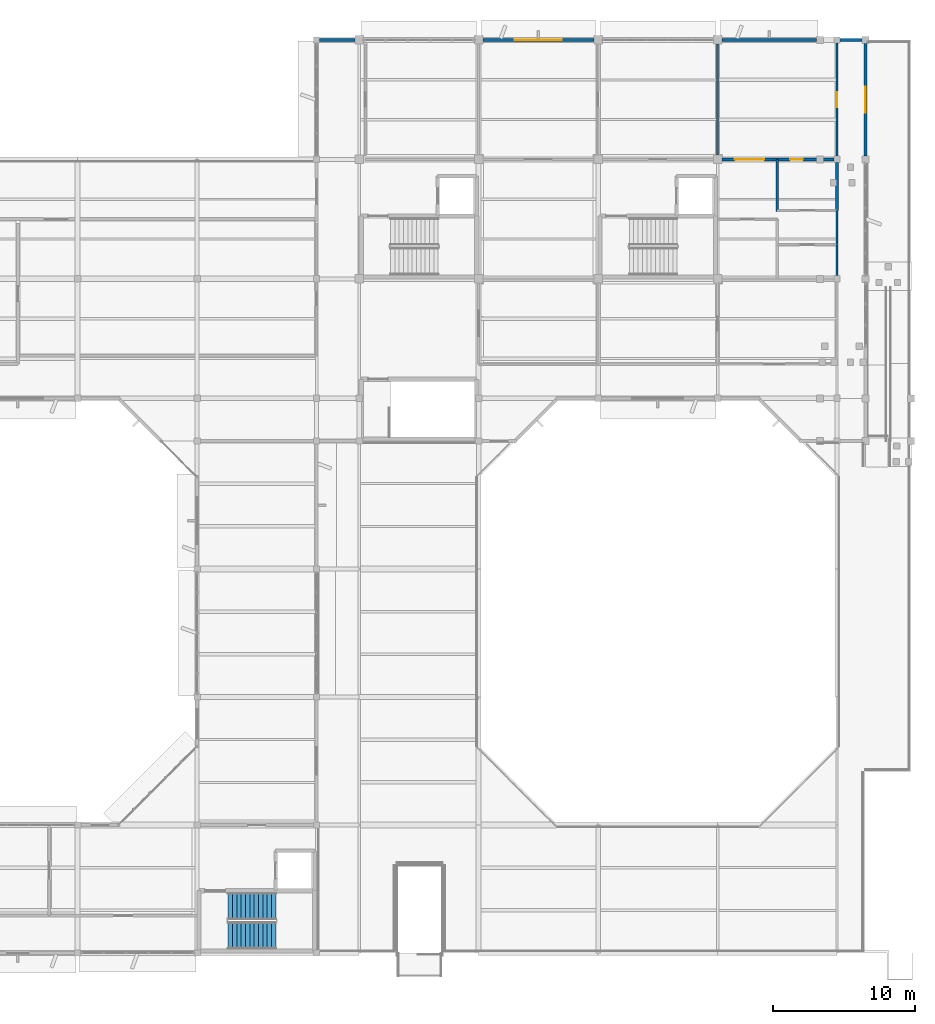
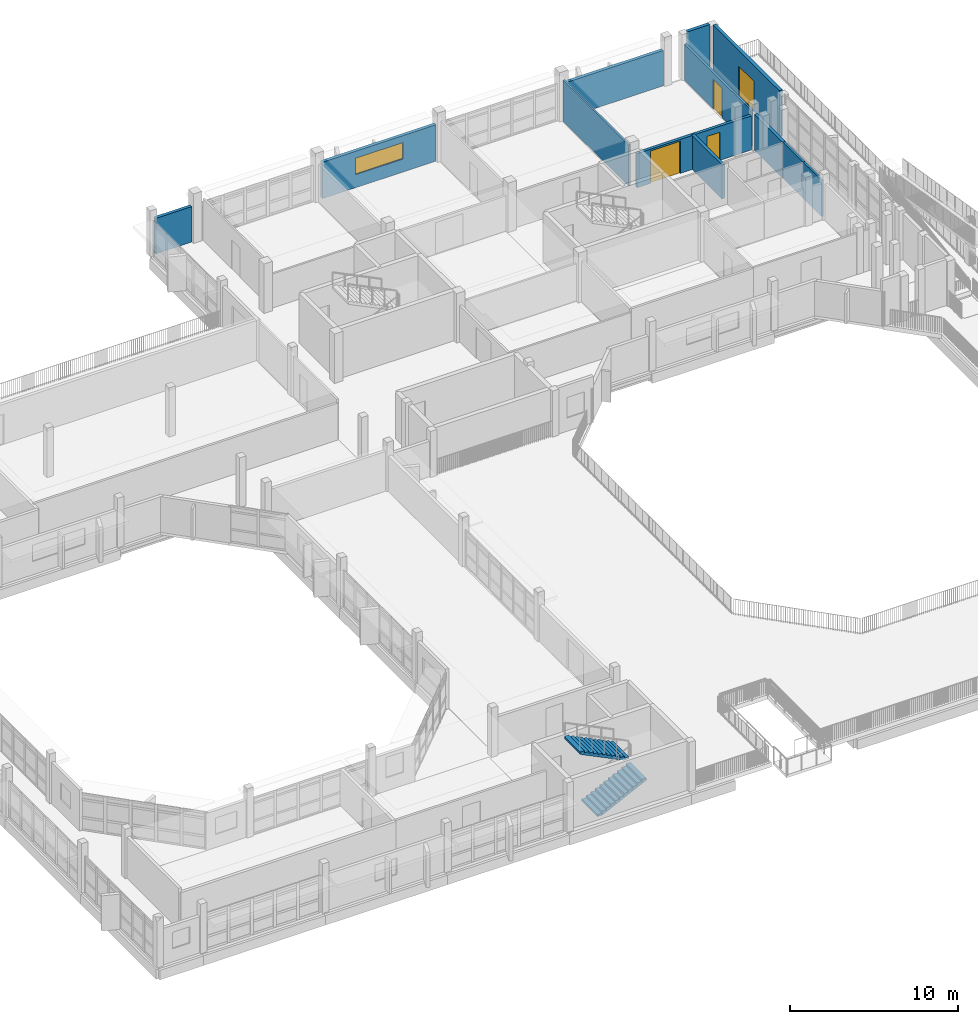
# One storey, part 24 of 42: 13 walls, 4 doors, 2 stair flights, 1 window, 5 openings, 1 element without a shape of its own.
"""IFC4 building model written with IfcOpenShell, lengths in metres."""

from ifc_helpers import new_model, si_unit, direction, frame, frame_2d, origin, place, context, subcontext, project, spatial, polyline, rectangle, outline, extrude, material, layer, layer_set, type_object, element, fill, aggregate, save


model = new_model("IFC4")

# Units and contexts
model_context = context("Model", 3, precision=1e-05, world=origin(), true_north=direction((0.0, 1.0)))
body_context = subcontext(model_context, "Body", "Model", "MODEL_VIEW")
ifc_project = project(units=[si_unit("LENGTHUNIT", "METRE"), si_unit("AREAUNIT", "SQUARE_METRE"), si_unit("VOLUMEUNIT", "CUBIC_METRE"), si_unit("PLANEANGLEUNIT", "RADIAN"), si_unit("MASSUNIT", "GRAM", prefix="KILO")], contexts=[model_context])

# Site, building, storey
site_placement = place(None, origin())
site = spatial("IfcSite", under=ifc_project, at=site_placement, CompositionType="ELEMENT")
building_placement = place(site_placement, origin())
building = spatial("IfcBuilding", under=site, at=building_placement, Name="Vanh Quang Courtyard School", CompositionType="ELEMENT")
storey_placement = place(building_placement, frame((0.0, 0.0, 15.0)))
storey = spatial("IfcBuildingStorey", under=building, at=storey_placement, Name="L04", CompositionType="ELEMENT", Elevation=15.0)

# Wall, opening, door
ifc_material_1 = material(Name="Concrete C30/37", Category="concrete")
ifc_layer_1 = layer(ifc_material_1, 0.199951171875)
ifc_layer_set_1 = layer_set([ifc_layer_1], Name="Concrete C30/37")
wall_type_1 = type_object("IfcWallType", Name="W-COMP-200", PredefinedType="PARTITIONING", material=ifc_layer_set_1)
wall_1_placement = place(storey_placement, frame((102.89794921875, 88.199951171875, 0.0), z_axis=(0.0, 0.0, 1.0), x_axis=(1.0, 0.0, 0.0)))
wall_1 = element("IfcWall", 1, at=wall_1_placement, inside=storey, type_object=wall_type_1, Name="Wall W-COMP1 (L04)", PredefinedType="PARTITIONING", context=body_context, shape_type="SweptSolid", body=[
    extrude(rectangle(XDim=3.902099609375, YDim=0.199951171875, at=frame_2d((1.951171875, 0.0))), origin(), (0.0, 0.0, 1.0), 2.47998046875),
])
opening_1_placement = place(wall_1_placement, frame((0.926025390625, 0.0, 0.0)))
opening_1 = element("IfcOpeningElement", 2, at=opening_1_placement, cuts=wall_1, Name="Opening L04-D159", PredefinedType="OPENING", context=body_context, shape_type="SweptSolid", body=[
    extrude(rectangle(XDim=2.050048828125, YDim=2.35009765625, at=frame_2d((1.02490234375, 1.175048828125))), frame((0.0, 0.10986328125, 0.0), z_axis=(0.0, -1.0, 0.0), x_axis=(1.0, 0.0, 0.0)), (0.0, 0.0, 1.0), 0.219970703125),
])
ifc_material_2 = material(Name="Painted galvanised steel fire door", Category="steel")
door_type_1 = type_object("IfcDoorType", Name="IDR-HAL-2050x2350", OperationType="NOTDEFINED", PredefinedType="DOOR", material=ifc_material_2)
door_1_placement = place(opening_1_placement, origin())
door_1 = element("IfcDoor", 3, at=door_1_placement, inside=storey, type_object=door_type_1, Name="Door L04-D159 (L04)", OperationType="DOUBLE_DOOR_SINGLE_SWING", OverallHeight=2.35009765625, OverallWidth=2.050048828125, PredefinedType="DOOR", context=body_context, shape_type="SweptSolid", body=[
    extrude(rectangle(XDim=2.050048828125, YDim=2.35009765625, at=frame_2d((1.02490234375, 1.175048828125))), frame((0.0, 0.02490234375, 0.0), z_axis=(0.0, -1.0, 0.0), x_axis=(1.0, 0.0, 0.0)), (0.0, 0.0, 1.0), 0.050048828125),
])
fill(opening_1, door_1)

# Wall
wall_2_placement = place(storey_placement, frame((106.800048828125, 88.199951171875, 0.0), z_axis=(0.0, 0.0, 1.0), x_axis=(0.0, -1.0, 0.0)))
element("IfcWall", 4, at=wall_2_placement, inside=storey, type_object=wall_type_1, Name="Wall W-COMP1 (L04)", PredefinedType="PARTITIONING", context=body_context, shape_type="SweptSolid", body=[
    extrude(rectangle(XDim=3.646240234375, YDim=0.199951171875, at=frame_2d((1.8232421875, 0.0))), origin(), (0.0, 0.0, 1.0), 2.47998046875),
])

# Wall, opening, door
wall_3_placement = place(storey_placement, frame((106.820068359375, 88.199951171875, 0.0), z_axis=(0.0, 0.0, 1.0), x_axis=(1.0, 0.0, 0.0)))
wall_3 = element("IfcWall", 5, at=wall_3_placement, inside=storey, type_object=wall_type_1, Name="Wall W-COMP1 (L04)", PredefinedType="PARTITIONING", context=body_context, shape_type="SweptSolid", body=[
    extrude(rectangle(XDim=3.95703125, YDim=0.199951171875, at=frame_2d((1.978515625, 0.0))), origin(), (0.0, 0.0, 1.0), 2.47998046875),
])
opening_2_placement = place(wall_3_placement, frame((0.87841796875, 0.0, 0.0)))
opening_2 = element("IfcOpeningElement", 6, at=opening_2_placement, cuts=wall_3, Name="Opening L04-D160", PredefinedType="OPENING", context=body_context, shape_type="SweptSolid", body=[
    extrude(rectangle(XDim=0.89990234375, YDim=2.050048828125, at=frame_2d((0.449951171875, 1.02490234375))), frame((0.0, 0.10986328125, 0.0), z_axis=(0.0, -1.0, 0.0), x_axis=(1.0, 0.0, 0.0)), (0.0, 0.0, 1.0), 0.219970703125),
])
door_type_2 = type_object("IfcDoorType", Name="IDR-RS-0900x2050", OperationType="NOTDEFINED", PredefinedType="DOOR", material=ifc_material_2)
door_2_placement = place(opening_2_placement, origin())
door_2 = element("IfcDoor", 7, at=door_2_placement, inside=storey, type_object=door_type_2, Name="Door L04-D160 (L04)", OperationType="SINGLE_SWING_LEFT", OverallHeight=2.050048828125, OverallWidth=0.89990234375, PredefinedType="DOOR", context=body_context, shape_type="SweptSolid", body=[
    extrude(rectangle(XDim=0.89990234375, YDim=2.050048828125, at=frame_2d((0.449951171875, 1.02490234375))), frame((0.0, 0.02490234375, 0.0), z_axis=(0.0, -1.0, 0.0), x_axis=(1.0, 0.0, 0.0)), (0.0, 0.0, 1.0), 0.050048828125),
])
fill(opening_2, door_2)

# Walls
wall_4_placement = place(storey_placement, frame((111.0, 87.97705078125, 0.0), z_axis=(0.0, 0.0, 1.0), x_axis=(0.0, -1.0, 0.0)))
element("IfcWall", 8, at=wall_4_placement, inside=storey, type_object=wall_type_1, Name="Wall W-COMP1 (L04)", PredefinedType="PARTITIONING", context=body_context, shape_type="SweptSolid", body=[
    extrude(rectangle(XDim=3.35693359375, YDim=0.199951171875, at=frame_2d((1.678466796875, 0.0))), origin(), (0.0, 0.0, 1.0), 2.6298828125),
])
ifc_layer_2 = layer(ifc_material_1, 0.219970703125)
ifc_layer_set_2 = layer_set([ifc_layer_2], Name="Concrete C30/37")
wall_type_2 = type_object("IfcWallType", Name="W-EXT-220", PredefinedType="SOLIDWALL", material=ifc_layer_set_2)
wall_5_placement = place(storey_placement, frame((74.623046875, 96.60009765625, 0.0), z_axis=(0.0, 0.0, 1.0), x_axis=(1.0, 0.0, 0.0)))
element("IfcWall", 9, at=wall_5_placement, inside=storey, type_object=wall_type_2, Name="Wall WE-04 (L04)", PredefinedType="SOLIDWALL", context=body_context, shape_type="SweptSolid", body=[
    extrude(rectangle(XDim=2.47900390625, YDim=0.219970703125, at=frame_2d((1.239501953125, 0.0))), origin(), (0.0, 0.0, 1.0), 2.580078125),
])

# Wall, opening, window
wall_6_placement = place(storey_placement, frame((86.097900390625, 96.60009765625, 0.0), z_axis=(0.0, 0.0, 1.0), x_axis=(1.0, 0.0, 0.0)))
wall_6 = element("IfcWall", 10, at=wall_6_placement, inside=storey, type_object=wall_type_2, Name="Wall WE-04 (L04)", PredefinedType="SOLIDWALL", context=body_context, shape_type="SweptSolid", body=[
    extrude(rectangle(XDim=7.80419921875, YDim=0.219970703125, at=frame_2d((3.902099609375, 0.0))), origin(), (0.0, 0.0, 1.0), 2.64990234375),
])
opening_3_placement = place(wall_6_placement, frame((2.251953125, 0.0, 0.949951171875)))
opening_3 = element("IfcOpeningElement", 11, at=opening_3_placement, cuts=wall_6, Name="Opening WN-08", PredefinedType="OPENING", context=body_context, shape_type="SweptSolid", body=[
    extrude(rectangle(XDim=3.300048828125, YDim=1.199951171875, at=frame_2d((1.64990234375, 0.60009765625))), frame((0.0, 0.1201171875, 0.0), z_axis=(0.0, -1.0, 0.0), x_axis=(1.0, 0.0, 0.0)), (0.0, 0.0, 1.0), 0.239990234375),
])
ifc_material_3 = material(Name="Anodised aluminium and low-E double glazing", Category="aluminium")
window_type = type_object("IfcWindowType", Name="WIN-TYP-08", PartitioningType="SINGLE_PANEL", PredefinedType="WINDOW", material=ifc_material_3)
window_placement = place(opening_3_placement, origin())
window = element("IfcWindow", 12, at=window_placement, inside=storey, type_object=window_type, Name="Window WN-08 (L04)", OverallHeight=1.199951171875, OverallWidth=3.300048828125, PartitioningType="SINGLE_PANEL", PredefinedType="WINDOW", context=body_context, shape_type="SweptSolid", body=[
    extrude(rectangle(XDim=3.300048828125, YDim=1.199951171875, at=frame_2d((1.64990234375, 0.60009765625))), frame((0.0, 0.030029296875, 0.0), z_axis=(0.0, -1.0, 0.0), x_axis=(1.0, 0.0, 0.0)), (0.0, 0.0, 1.0), 0.06005859375),
])
fill(opening_3, window)

# Walls
wall_7_placement = place(storey_placement, frame((102.89794921875, 96.60009765625, 0.0), z_axis=(0.0, 0.0, 1.0), x_axis=(1.0, 0.0, 0.0)))
element("IfcWall", 13, at=wall_7_placement, inside=storey, type_object=wall_type_2, Name="Wall WE-04 (L04)", PredefinedType="SOLIDWALL", context=body_context, shape_type="SweptSolid", body=[
    extrude(rectangle(XDim=6.654052734375, YDim=0.219970703125, at=frame_2d((3.3271484375, 0.0))), origin(), (0.0, 0.0, 1.0), 2.580078125),
])
wall_8_placement = place(storey_placement, frame((111.222900390625, 96.60009765625, 0.0), z_axis=(0.0, 0.0, 1.0), x_axis=(1.0, 0.0, 0.0)))
element("IfcWall", 14, at=wall_8_placement, inside=storey, type_object=wall_type_2, Name="Wall WE-04 (L04)", PredefinedType="SOLIDWALL", context=body_context, shape_type="SweptSolid", body=[
    extrude(rectangle(XDim=1.529052734375, YDim=0.219970703125, at=frame_2d((0.7646484375, 0.0))), origin(), (0.0, 0.0, 1.0), 3.35009765625),
])

# Wall, opening, door
wall_9_placement = place(storey_placement, frame((113.0, 96.35205078125, 0.0), z_axis=(0.0, 0.0, 1.0), x_axis=(0.0, -1.0, 0.0)))
wall_9 = element("IfcWall", 15, at=wall_9_placement, inside=storey, type_object=wall_type_2, Name="Wall WE-04 (L04)", PredefinedType="SOLIDWALL", context=body_context, shape_type="SweptSolid", body=[
    extrude(rectangle(XDim=7.904052734375, YDim=0.219970703125, at=frame_2d((3.9521484375, 0.0))), origin(), (0.0, 0.0, 1.0), 3.35009765625),
])
opening_4_placement = place(wall_9_placement, frame((3.027099609375, 0.0, 0.0)))
opening_4 = element("IfcOpeningElement", 16, at=opening_4_placement, cuts=wall_9, Name="Opening L04-PD057", PredefinedType="OPENING", context=body_context, shape_type="SweptSolid", body=[
    extrude(rectangle(XDim=1.85009765625, YDim=2.199951171875, at=frame_2d((0.925048828125, 1.10009765625))), frame((0.0, 0.1201171875, 0.0), z_axis=(0.0, -1.0, 0.0), x_axis=(1.0, 0.0, 0.0)), (0.0, 0.0, 1.0), 0.239990234375),
])
ifc_material_4 = material(Name="Thermally broken aluminium and laminated safety glass", Category="aluminium")
door_type_3 = type_object("IfcDoorType", Name="EDR-TYP-08", OperationType="NOTDEFINED", PredefinedType="DOOR", material=ifc_material_4)
door_3_placement = place(opening_4_placement, origin())
door_3 = element("IfcDoor", 17, at=door_3_placement, inside=storey, type_object=door_type_3, Name="Door L04-PD057 (L04)", OperationType="SINGLE_SWING_RIGHT", OverallHeight=2.199951171875, OverallWidth=1.85009765625, PredefinedType="DOOR", context=body_context, shape_type="SweptSolid", body=[
    extrude(rectangle(XDim=1.85009765625, YDim=2.199951171875, at=frame_2d((0.925048828125, 1.10009765625))), frame((0.0, 0.02490234375, 0.0), z_axis=(0.0, -1.0, 0.0), x_axis=(1.0, 0.0, 0.0)), (0.0, 0.0, 1.0), 0.050048828125),
])
fill(opening_4, door_3)

# Walls
ifc_material_5 = material(Name="Acoustic gypsum stud partition", Category="gypsum")
ifc_layer_3 = layer(ifc_material_5, 0.1201171875)
ifc_layer_set_3 = layer_set([ifc_layer_3], Name="Acoustic gypsum stud partition")
wall_type_3 = type_object("IfcWallType", Name="W-PART-120", PredefinedType="PARTITIONING", material=ifc_layer_set_3)
wall_10_placement = place(storey_placement, frame((102.60009765625, 96.302001953125, 0.0), z_axis=(0.0, 0.0, 1.0), x_axis=(0.0, -1.0, 0.0)))
element("IfcWall", 18, at=wall_10_placement, inside=storey, type_object=wall_type_3, Name="Wall W-PRT2 (L04)", PredefinedType="PARTITIONING", context=body_context, shape_type="SweptSolid", body=[
    extrude(rectangle(XDim=7.803955078125, YDim=0.1201171875, at=frame_2d((3.90185546875, 0.0))), origin(), (0.0, 0.0, 1.0), 2.989990234375),
])
ifc_material_6 = material(Name="Autoclaved aerated masonry blockwork", Category="masonry")
ifc_layer_4 = layer(ifc_material_6, 0.14990234375)
ifc_layer_set_4 = layer_set([ifc_layer_4], Name="Autoclaved aerated masonry blockwork")
wall_type_4 = type_object("IfcWallType", Name="W-PART-150", PredefinedType="PARTITIONING", material=ifc_layer_set_4)
wall_11_placement = place(storey_placement, frame((111.0, 82.199951171875, 0.0), z_axis=(0.0, 0.0, 1.0), x_axis=(0.0, -1.0, 0.0)))
element("IfcWall", 19, at=wall_11_placement, inside=storey, type_object=wall_type_4, Name="Wall W-PRT1 (L04)", PredefinedType="PARTITIONING", context=body_context, shape_type="SweptSolid", body=[
    extrude(rectangle(XDim=2.177001953125, YDim=0.14990234375, at=frame_2d((1.08837890625, 0.0))), origin(), (0.0, 0.0, 1.0), 2.6298828125),
])
wall_12_placement = place(storey_placement, frame((111.0, 84.60009765625, 0.0), z_axis=(0.0, 0.0, 1.0), x_axis=(0.0, -1.0, 0.0)))
element("IfcWall", 20, at=wall_12_placement, inside=storey, type_object=wall_type_4, Name="Wall W-PRT1 (L04)", PredefinedType="PARTITIONING", context=body_context, shape_type="SweptSolid", body=[
    extrude(rectangle(XDim=2.380126953125, YDim=0.14990234375, at=frame_2d((1.18994140625, 0.0))), origin(), (0.0, 0.0, 1.0), 2.6298828125),
])

# Wall, opening, door
wall_13_placement = place(storey_placement, frame((111.0, 96.370849609375, 0.0), z_axis=(0.0, 0.0, 1.0), x_axis=(0.0, -1.0, 0.0)))
wall_13 = element("IfcWall", 21, at=wall_13_placement, inside=storey, type_object=wall_type_4, Name="Wall W-PRT1 (L04)", PredefinedType="PARTITIONING", context=body_context, shape_type="SweptSolid", body=[
    extrude(rectangle(XDim=7.94775390625, YDim=0.14990234375, at=frame_2d((3.973876953125, 0.0))), origin(), (0.0, 0.0, 1.0), 2.6298828125),
])
opening_5_placement = place(wall_13_placement, frame((3.448974609375, 0.0, 0.0)))
opening_5 = element("IfcOpeningElement", 22, at=opening_5_placement, cuts=wall_13, Name="Opening L04-D173", PredefinedType="OPENING", context=body_context, shape_type="SweptSolid", body=[
    extrude(rectangle(XDim=1.050048828125, YDim=2.14990234375, at=frame_2d((0.52490234375, 1.074951171875))), frame((0.0, 0.0849609375, 0.0), z_axis=(0.0, -1.0, 0.0), x_axis=(1.0, 0.0, 0.0)), (0.0, 0.0, 1.0), 0.169921875),
])
door_type_4 = type_object("IfcDoorType", Name="IDR-FD-1050x2150", OperationType="NOTDEFINED", PredefinedType="DOOR", material=ifc_material_2)
door_4_placement = place(opening_5_placement, origin())
door_4 = element("IfcDoor", 23, at=door_4_placement, inside=storey, type_object=door_type_4, Name="Door L04-D173 (L04)", OperationType="SINGLE_SWING_RIGHT", OverallHeight=2.14990234375, OverallWidth=1.050048828125, PredefinedType="DOOR", context=body_context, shape_type="SweptSolid", body=[
    extrude(rectangle(XDim=1.050048828125, YDim=2.14990234375, at=frame_2d((0.52490234375, 1.074951171875))), frame((0.0, 0.02490234375, 0.0), z_axis=(0.0, -1.0, 0.0), x_axis=(1.0, 0.0, 0.0)), (0.0, 0.0, 1.0), 0.050048828125),
])
fill(opening_5, door_4)

# Stair, stair flights
stair_type = type_object("IfcStairType", Name="STR-CORE-1900", PredefinedType="HALF_TURN_STAIR", material=ifc_material_1)
stair_placement = place(storey_placement, origin())
stair = element("IfcStair", 24, at=stair_placement, inside=storey, type_object=stair_type, Name="L04 ST-04", PredefinedType="HALF_TURN_STAIR")
stair_flight_type = type_object("IfcStairFlightType", Name="FLT-CORE-1900", PredefinedType="STRAIGHT", material=ifc_material_1)
stair_flight_1_placement = place(storey_placement, frame((68.179931640625, 33.6298828125, 0.0), z_axis=(0.0, 0.0, 1.0), x_axis=(1.0, 0.0, 0.0)))
stair_flight_1 = element("IfcStairFlight", 25, at=stair_flight_1_placement, type_object=stair_flight_type, Name="ST-04 flight 1", NumberOfRisers=12, NumberOfTreads=11, PredefinedType="STRAIGHT", RiserHeight=0.15, TreadLength=0.305, context=body_context, shape_type="SweptSolid", body=[
    extrude(outline(polyline([(0.0, 0.0), (0.0, 0.14990234375), (0.304931640625, 0.14990234375), (0.304931640625, 0.300048828125), (0.610107421875, 0.300048828125), (0.610107421875, 0.449951171875), (0.9150390625, 0.449951171875), (0.9150390625, 0.60009765625), (1.219970703125, 0.60009765625), (1.219970703125, 0.75), (1.52490234375, 0.75), (1.52490234375, 0.89990234375), (1.830078125, 0.89990234375), (1.830078125, 1.050048828125), (2.135009765625, 1.050048828125), (2.135009765625, 1.199951171875), (2.43994140625, 1.199951171875), (2.43994140625, 1.35009765625), (2.7451171875, 1.35009765625), (2.7451171875, 1.5), (3.050048828125, 1.5), (3.050048828125, 1.64990234375), (3.35498046875, 1.64990234375), (3.35498046875, 1.800048828125), (3.35498046875, 1.48291015625), (0.339599609375, 0.0), (0.0, 0.0)])), frame((0.0, 0.949951171875, 0.0), z_axis=(0.0, -1.0, 0.0), x_axis=(1.0, 0.0, 0.0)), (0.0, 0.0, 1.0), 1.89990234375),
])
stair_flight_2_placement = place(storey_placement, frame((71.534912109375, 35.68994140625, 1.800048828125), z_axis=(0.0, 0.0, 1.0), x_axis=(-1.0, 0.0, 0.0)))
stair_flight_2 = element("IfcStairFlight", 26, at=stair_flight_2_placement, type_object=stair_flight_type, Name="ST-04 flight 2", NumberOfRisers=12, NumberOfTreads=11, PredefinedType="STRAIGHT", RiserHeight=0.15, TreadLength=0.305, context=body_context, shape_type="SweptSolid", body=[
    extrude(outline(polyline([(0.0, 0.0), (0.0, 0.14990234375), (0.304931640625, 0.14990234375), (0.304931640625, 0.300048828125), (0.610107421875, 0.300048828125), (0.610107421875, 0.449951171875), (0.9150390625, 0.449951171875), (0.9150390625, 0.60009765625), (1.219970703125, 0.60009765625), (1.219970703125, 0.75), (1.52490234375, 0.75), (1.52490234375, 0.89990234375), (1.830078125, 0.89990234375), (1.830078125, 1.050048828125), (2.135009765625, 1.050048828125), (2.135009765625, 1.199951171875), (2.43994140625, 1.199951171875), (2.43994140625, 1.35009765625), (2.7451171875, 1.35009765625), (2.7451171875, 1.5), (3.050048828125, 1.5), (3.050048828125, 1.64990234375), (3.35498046875, 1.64990234375), (3.35498046875, 1.800048828125), (3.35498046875, 1.48291015625), (0.339599609375, 0.0), (0.0, 0.0)])), frame((0.0, 0.949951171875, 0.0), z_axis=(0.0, -1.0, 0.0), x_axis=(1.0, 0.0, 0.0)), (0.0, 0.0, 1.0), 1.89990234375),
])
aggregate(stair, [stair_flight_1, stair_flight_2])

save(model, "model.ifc")
